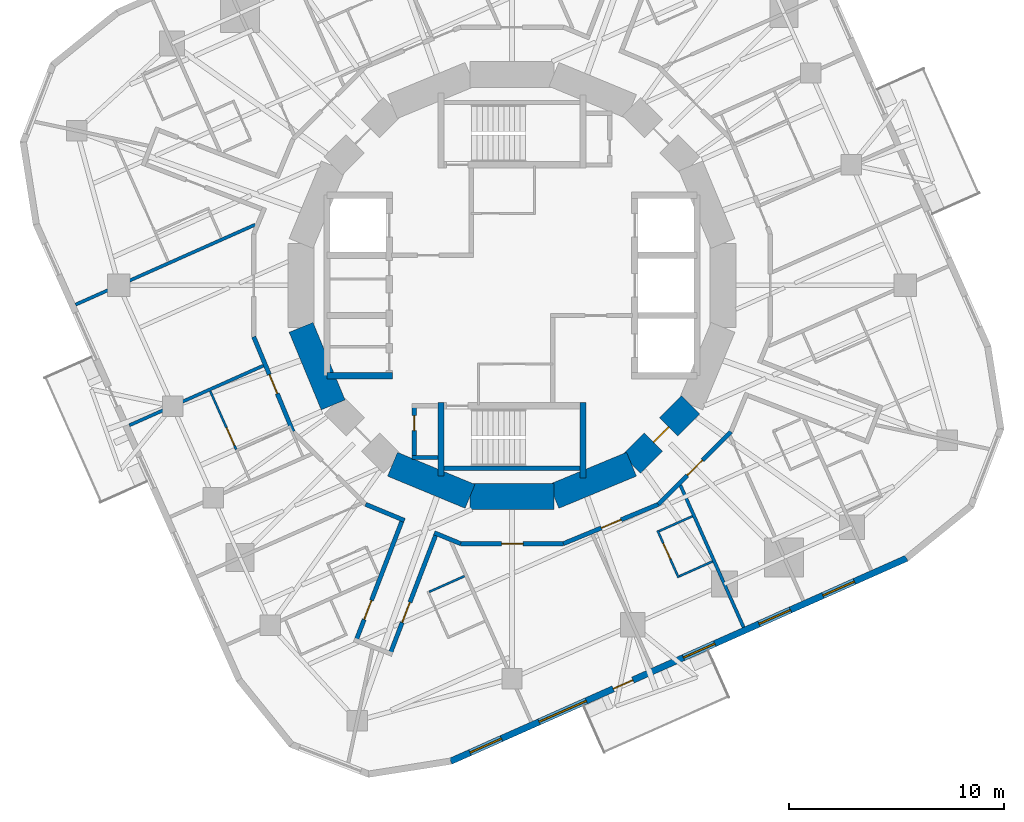
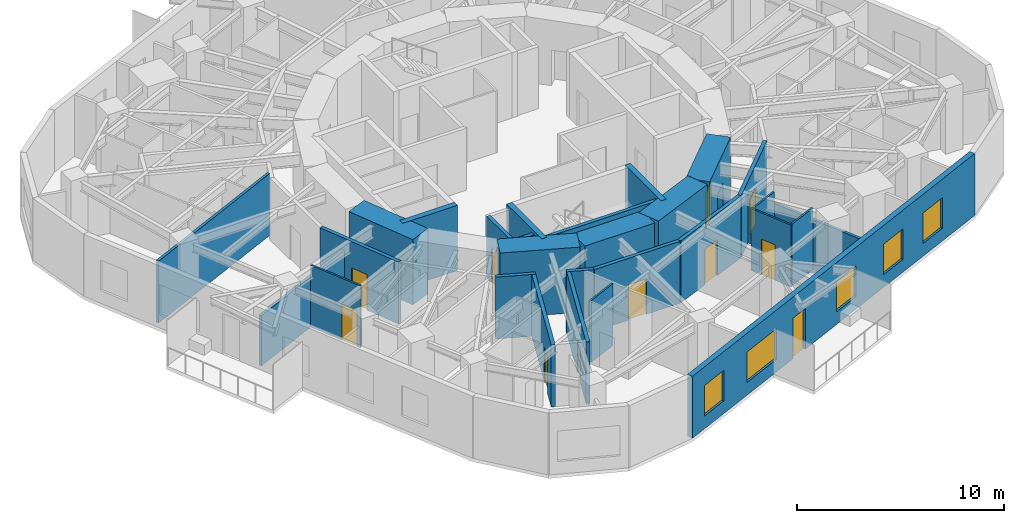
# One storey, part 5 of 12: 28 walls, 11 doors, 5 windows, 16 openings.
"""IFC4 building model written with IfcOpenShell, lengths in metres."""

from ifc_helpers import new_model, si_unit, direction, frame, frame_2d, origin, place, context, subcontext, project, spatial, rectangle, extrude, material, layer, layer_set, type_object, element, fill, save


model = new_model("IFC4")

# Units and contexts
model_context = context("Model", 3, precision=1e-05, world=origin(), true_north=direction((0.0, 1.0)))
body_context = subcontext(model_context, "Body", "Model", "MODEL_VIEW")
ifc_project = project(units=[si_unit("LENGTHUNIT", "METRE"), si_unit("AREAUNIT", "SQUARE_METRE"), si_unit("VOLUMEUNIT", "CUBIC_METRE"), si_unit("PLANEANGLEUNIT", "RADIAN"), si_unit("MASSUNIT", "GRAM", prefix="KILO")], contexts=[model_context])

# Site, building, storey
site_placement = place(None, origin())
site = spatial("IfcSite", under=ifc_project, at=site_placement, CompositionType="ELEMENT")
building_placement = place(site_placement, origin())
building = spatial("IfcBuilding", under=site, at=building_placement, Name="Nakasero Lantern House", CompositionType="ELEMENT")
storey_placement = place(building_placement, frame((0.0, 0.0, 186.300048828125)))
storey = spatial("IfcBuildingStorey", under=building, at=storey_placement, Name="L45", CompositionType="ELEMENT", Elevation=186.300048828125)

# Walls
ifc_material_1 = material(Name="Concrete C50/60", Category="concrete")
ifc_layer_1 = layer(ifc_material_1, 0.300048828125)
ifc_layer_set_1 = layer_set([ifc_layer_1], Name="Core inner wall 300")
wall_type_1 = type_object("IfcWallType", Name="Core inner wall 300", PredefinedType="SHEAR", material=ifc_layer_set_1)
wall_1_placement = place(storey_placement, frame((-8.60009765625, -4.199951171875, 0.0), z_axis=(0.0, 0.0, 1.0), x_axis=(1.0, 0.0, 0.0)))
element("IfcWall", 1, at=wall_1_placement, inside=storey, type_object=wall_type_1, Name="Core inner wall L45 LWS", PredefinedType="SHEAR", context=body_context, shape_type="SweptSolid", body=[
    extrude(rectangle(XDim=3.050048828125, YDim=0.300048828125, at=frame_2d((1.52490234375, 0.0))), origin(), (0.0, 0.0, 1.0), 3.849853515625),
])
wall_2_placement = place(storey_placement, frame((-3.300048828125, -5.449951171875, 0.0), z_axis=(0.0, 0.0, 1.0), x_axis=(0.0, -1.0, 0.0)))
element("IfcWall", 2, at=wall_2_placement, inside=storey, type_object=wall_type_1, Name="Core inner wall L45 SSW", PredefinedType="SHEAR", context=body_context, shape_type="SweptSolid", body=[
    extrude(rectangle(XDim=3.400146484375, YDim=0.300048828125, at=frame_2d((1.7001953125, 0.0))), origin(), (0.0, 0.0, 1.0), 3.849853515625),
])
wall_3_placement = place(storey_placement, frame((3.300048828125, -5.449951171875, 0.0), z_axis=(0.0, 0.0, 1.0), x_axis=(0.0, -1.0, 0.0)))
element("IfcWall", 3, at=wall_3_placement, inside=storey, type_object=wall_type_1, Name="Core inner wall L45 SSE", PredefinedType="SHEAR", context=body_context, shape_type="SweptSolid", body=[
    extrude(rectangle(XDim=3.5, YDim=0.300048828125, at=frame_2d((1.75, 0.0))), origin(), (0.0, 0.0, 1.0), 3.849853515625),
])
ifc_material_2 = material(Name="Concrete C50/60", Category="concrete")
ifc_layer_2 = layer(ifc_material_2, 1.199951171875)
ifc_layer_set_2 = layer_set([ifc_layer_2], Name="Core wall 1200")
wall_type_2 = type_object("IfcWallType", Name="Core wall 1200", PredefinedType="SHEAR", material=ifc_layer_set_2)
for number, where, z_axis, x_axis, name in (
    (4, (-9.807861328125, -1.950927734375, 0.0), (0.0, 0.0, 1.0), (0.382690736062, -0.923876507187, 0.0), "Core wall L45 facet 9"),
    (5, (-5.5556640625, -8.314697265625, 0.0), (0.0, 0.0, 1.0), (0.923876507187, -0.382690736062, 0.0), "Core wall L45 facet 11"),
    (6, (-1.950927734375, -9.807861328125, 0.0), (0.0, 0.0, 1.0), (1.0, 0.0, 0.0), "Core wall L45 facet 12"),
    (7, (1.950927734375, -9.807861328125, 0.0), (0.0, 0.0, 1.0), (0.923876507187, 0.382690736062, 0.0), "Core wall L45 facet 13"),
):
    element("IfcWall", number, at=place(storey_placement, frame(where, z_axis=z_axis, x_axis=x_axis)), inside=storey, type_object=wall_type_2, Name=name, PredefinedType="SHEAR", context=body_context, shape_type="SweptSolid", body=[
        extrude(rectangle(XDim=3.90185546875, YDim=1.199951171875, at=frame_2d((1.950927734375, 0.0))), origin(), (0.0, 0.0, 1.0), 3.849853515625),
    ])

# Wall, opening, door
wall_4_placement = place(storey_placement, frame((5.5556640625, -8.314697265625, 0.0), z_axis=(0.0, 0.0, 1.0), x_axis=(0.707106781187, 0.707106781187, 0.0)))
wall_4 = element("IfcWall", 8, at=wall_4_placement, inside=storey, type_object=wall_type_2, Name="Core wall L45 facet 14", PredefinedType="SHEAR", context=body_context, shape_type="SweptSolid", body=[
    extrude(rectangle(XDim=3.90185546875, YDim=1.199951171875, at=frame_2d((1.950927734375, 0.0))), origin(), (0.0, 0.0, 1.0), 3.849853515625),
])
opening_1_placement = place(wall_4_placement, frame((1.450927734375, 0.0, 0.0)))
opening_1 = element("IfcOpeningElement", 9, at=opening_1_placement, cuts=wall_4, Name="Opening D05", PredefinedType="OPENING", context=body_context, shape_type="SweptSolid", body=[
    extrude(rectangle(XDim=1.0, YDim=2.10009765625, at=frame_2d((0.5, 1.050048828125))), frame((0.0, 0.619873046875, 0.0), z_axis=(0.0, -1.0, 0.0), x_axis=(1.0, 0.0, 0.0)), (0.0, 0.0, 1.0), 1.239990234375),
])
ifc_material_3 = material(Name="Timber C24", Category="wood")
door_type_1 = type_object("IfcDoorType", Name="Core door FD60S 1000", OperationType="SINGLE_SWING_LEFT", PredefinedType="DOOR", material=ifc_material_3)
door_1_placement = place(opening_1_placement, origin())
door_1 = element("IfcDoor", 10, at=door_1_placement, inside=storey, type_object=door_type_1, Name="Door L45 D-CORE14", OperationType="SINGLE_SWING_LEFT", OverallHeight=2.10009765625, OverallWidth=1.0, PredefinedType="DOOR", context=body_context, shape_type="SweptSolid", body=[
    extrude(rectangle(XDim=1.0, YDim=2.10009765625, at=frame_2d((0.5, 1.050048828125))), frame((0.0, 0.02490234375, 0.0), z_axis=(0.0, -1.0, 0.0), x_axis=(1.0, 0.0, 0.0)), (0.0, 0.0, 1.0), 0.050048828125),
])
fill(opening_1, door_1)

ifc_material_4 = material(Name="Blockwork", Category="masonry")
ifc_layer_3 = layer(ifc_material_4, 0.199951171875)
ifc_layer_set_3 = layer_set([ifc_layer_3], Name="Corridor wall 200")
wall_type_3 = type_object("IfcWallType", Name="Corridor wall 200", PredefinedType="PARTITIONING", material=ifc_layer_set_3)
wall_5_placement = place(storey_placement, frame((10.1796875, -6.802001953125, 0.0), z_axis=(0.0, 0.0, 1.0), x_axis=(-0.707106781187, -0.707106781187, 0.0)))
wall_5 = element("IfcWall", 11, at=wall_5_placement, inside=storey, type_object=wall_type_3, Name="Corridor wall L45 RC02a", PredefinedType="PARTITIONING", context=body_context, shape_type="SweptSolid", body=[
    extrude(rectangle(XDim=4.77685546875, YDim=0.199951171875, at=frame_2d((2.388427734375, 0.0))), origin(), (0.0, 0.0, 1.0), 3.64990234375),
])
opening_2_placement = place(wall_5_placement, frame((1.8701171875, 0.0, 0.0)))
opening_2 = element("IfcOpeningElement", 12, at=opening_2_placement, cuts=wall_5, Name="Opening D14", PredefinedType="OPENING", context=body_context, shape_type="SweptSolid", body=[
    extrude(rectangle(XDim=1.0, YDim=2.10009765625, at=frame_2d((0.5, 1.050048828125))), frame((0.0, 0.119873046875, 0.0), z_axis=(0.0, -1.0, 0.0), x_axis=(1.0, 0.0, 0.0)), (0.0, 0.0, 1.0), 0.239990234375),
])
ifc_material_5 = material(Name="Timber C24", Category="wood")
door_type_2 = type_object("IfcDoorType", Name="Cluster entrance door FD30S 1000", OperationType="SINGLE_SWING_LEFT", PredefinedType="DOOR", material=ifc_material_5)
door_2_placement = place(opening_2_placement, origin())
door_2 = element("IfcDoor", 13, at=door_2_placement, inside=storey, type_object=door_type_2, Name="Door L45 D3-04", OperationType="SINGLE_SWING_LEFT", OverallHeight=2.10009765625, OverallWidth=1.0, PredefinedType="DOOR", context=body_context, shape_type="SweptSolid", body=[
    extrude(rectangle(XDim=1.0, YDim=2.10009765625, at=frame_2d((0.5, 1.050048828125))), frame((0.0, 0.02490234375, 0.0), z_axis=(0.0, -1.0, 0.0), x_axis=(1.0, 0.0, 0.0)), (0.0, 0.0, 1.0), 0.050048828125),
])
fill(opening_2, door_2)

wall_6_placement = place(storey_placement, frame((6.802001953125, -10.1796875, 0.0), z_axis=(0.0, 0.0, 1.0), x_axis=(-0.923882292998, -0.382676767893, 0.0)))
wall_6 = element("IfcWall", 14, at=wall_6_placement, inside=storey, type_object=wall_type_3, Name="Corridor wall L45 RC03a", PredefinedType="PARTITIONING", context=body_context, shape_type="SweptSolid", body=[
    extrude(rectangle(XDim=4.777099609375, YDim=0.199951171875, at=frame_2d((2.388671875, 0.0))), origin(), (0.0, 0.0, 1.0), 3.64990234375),
])
opening_3_placement = place(wall_6_placement, frame((1.8701171875, 0.0, 0.0)))
opening_3 = element("IfcOpeningElement", 15, at=opening_3_placement, cuts=wall_6, Name="Opening D07", PredefinedType="OPENING", context=body_context, shape_type="SweptSolid", body=[
    extrude(rectangle(XDim=1.0, YDim=2.10009765625, at=frame_2d((0.5, 1.050048828125))), frame((0.0, 0.119873046875, 0.0), z_axis=(0.0, -1.0, 0.0), x_axis=(1.0, 0.0, 0.0)), (0.0, 0.0, 1.0), 0.239990234375),
])
ifc_material_6 = material(Name="Timber C24", Category="wood")
door_type_3 = type_object("IfcDoorType", Name="Room door FD30S 1000", OperationType="SINGLE_SWING_LEFT", PredefinedType="DOOR", material=ifc_material_6)
door_3_placement = place(opening_3_placement, origin())
door_3 = element("IfcDoor", 16, at=door_3_placement, inside=storey, type_object=door_type_3, Name="Door L45 D3-03", OperationType="SINGLE_SWING_LEFT", OverallHeight=2.10009765625, OverallWidth=1.0, PredefinedType="DOOR", context=body_context, shape_type="SweptSolid", body=[
    extrude(rectangle(XDim=1.0, YDim=2.10009765625, at=frame_2d((0.5, 1.050048828125))), frame((0.0, 0.02490234375, 0.0), z_axis=(0.0, -1.0, 0.0), x_axis=(1.0, 0.0, 0.0)), (0.0, 0.0, 1.0), 0.050048828125),
])
fill(opening_3, door_3)

wall_7_placement = place(storey_placement, frame((2.388427734375, -12.0078125, 0.0), z_axis=(0.0, 0.0, 1.0), x_axis=(-1.0, 0.0, 0.0)))
wall_7 = element("IfcWall", 17, at=wall_7_placement, inside=storey, type_object=wall_type_3, Name="Corridor wall L45 RC04a", PredefinedType="PARTITIONING", context=body_context, shape_type="SweptSolid", body=[
    extrude(rectangle(XDim=4.77685546875, YDim=0.199951171875, at=frame_2d((2.388427734375, 0.0))), origin(), (0.0, 0.0, 1.0), 3.64990234375),
])
opening_4_placement = place(wall_7_placement, frame((1.8701171875, 0.0, 0.0)))
opening_4 = element("IfcOpeningElement", 18, at=opening_4_placement, cuts=wall_7, Name="Opening D03", PredefinedType="OPENING", context=body_context, shape_type="SweptSolid", body=[
    extrude(rectangle(XDim=1.0, YDim=2.10009765625, at=frame_2d((0.5, 1.050048828125))), frame((0.0, 0.119873046875, 0.0), z_axis=(0.0, -1.0, 0.0), x_axis=(1.0, 0.0, 0.0)), (0.0, 0.0, 1.0), 0.239990234375),
])
ifc_material_7 = material(Name="Timber C24", Category="wood")
door_type_4 = type_object("IfcDoorType", Name="Lounge door FD30S 1000", OperationType="SINGLE_SWING_LEFT", PredefinedType="DOOR", material=ifc_material_7)
door_4_placement = place(opening_4_placement, origin())
door_4 = element("IfcDoor", 19, at=door_4_placement, inside=storey, type_object=door_type_4, Name="Door L45 DK3", OperationType="SINGLE_SWING_LEFT", OverallHeight=2.10009765625, OverallWidth=1.0, PredefinedType="DOOR", context=body_context, shape_type="SweptSolid", body=[
    extrude(rectangle(XDim=1.0, YDim=2.10009765625, at=frame_2d((0.5, 1.050048828125))), frame((0.0, 0.02490234375, 0.0), z_axis=(0.0, -1.0, 0.0), x_axis=(1.0, 0.0, 0.0)), (0.0, 0.0, 1.0), 0.050048828125),
])
fill(opening_4, door_4)

# Walls
wall_8_placement = place(storey_placement, frame((-2.388427734375, -12.0078125, 0.0), z_axis=(0.0, 0.0, 1.0), x_axis=(-0.923893220228, 0.382650385623, 0.0)))
element("IfcWall", 20, at=wall_8_placement, inside=storey, type_object=wall_type_3, Name="Corridor wall L45 RC05a", PredefinedType="PARTITIONING", context=body_context, shape_type="SweptSolid", body=[
    extrude(rectangle(XDim=1.323974609375, YDim=0.199951171875, at=frame_2d((0.662109375, 0.0))), origin(), (0.0, 0.0, 1.0), 3.64990234375),
])
wall_9_placement = place(storey_placement, frame((-4.997802734375, -10.927001953125, 0.0), z_axis=(0.0, 0.0, 1.0), x_axis=(-0.923881222106, 0.382679353297, 0.0)))
element("IfcWall", 21, at=wall_9_placement, inside=storey, type_object=wall_type_3, Name="Corridor wall L45 RC05b", PredefinedType="PARTITIONING", context=body_context, shape_type="SweptSolid", body=[
    extrude(rectangle(XDim=1.952880859375, YDim=0.199951171875, at=frame_2d((0.9765625, 0.0))), origin(), (0.0, 0.0, 1.0), 3.64990234375),
])

# Wall, opening, door
wall_10_placement = place(storey_placement, frame((-10.1796875, -6.802001953125, 0.0), z_axis=(0.0, 0.0, 1.0), x_axis=(-0.382676767893, 0.923882292998, 0.0)))
wall_10 = element("IfcWall", 22, at=wall_10_placement, inside=storey, type_object=wall_type_3, Name="Corridor wall L45 RC07a", PredefinedType="PARTITIONING", context=body_context, shape_type="SweptSolid", body=[
    extrude(rectangle(XDim=4.777099609375, YDim=0.199951171875, at=frame_2d((2.388671875, 0.0))), origin(), (0.0, 0.0, 1.0), 3.64990234375),
])
opening_5_placement = place(wall_10_placement, frame((1.919921875, 0.0, 0.0)))
opening_5 = element("IfcOpeningElement", 23, at=opening_5_placement, cuts=wall_10, Name="Opening D01", PredefinedType="OPENING", context=body_context, shape_type="SweptSolid", body=[
    extrude(rectangle(XDim=0.949951171875, YDim=2.10009765625, at=frame_2d((0.47509765625, 1.050048828125))), frame((0.0, 0.119873046875, 0.0), z_axis=(0.0, -1.0, 0.0), x_axis=(1.0, 0.0, 0.0)), (0.0, 0.0, 1.0), 0.239990234375),
])
ifc_material_8 = material(Name="Timber C24", Category="wood")
door_type_5 = type_object("IfcDoorType", Name="Bedroom door FD30S 950", OperationType="SINGLE_SWING_LEFT", PredefinedType="DOOR", material=ifc_material_8)
door_5_placement = place(opening_5_placement, origin())
door_5 = element("IfcDoor", 24, at=door_5_placement, inside=storey, type_object=door_type_5, Name="Door L45 D2-03", OperationType="SINGLE_SWING_RIGHT", OverallHeight=2.10009765625, OverallWidth=0.949951171875, PredefinedType="DOOR", context=body_context, shape_type="SweptSolid", body=[
    extrude(rectangle(XDim=0.949951171875, YDim=2.10009765625, at=frame_2d((0.47509765625, 1.050048828125))), frame((0.0, 0.02490234375, 0.0), z_axis=(0.0, -1.0, 0.0), x_axis=(1.0, 0.0, 0.0)), (0.0, 0.0, 1.0), 0.050048828125),
])
fill(opening_5, door_5)

wall_11_placement = place(storey_placement, frame((-5.09033203125, -10.888671875, 0.0), z_axis=(0.0, 0.0, 1.0), x_axis=(-0.35835059057, -0.933587089798, 0.0)))
wall_11 = element("IfcWall", 25, at=wall_11_placement, inside=storey, type_object=wall_type_3, Name="Corridor wall L45 SP2a", PredefinedType="PARTITIONING", context=body_context, shape_type="SweptSolid", body=[
    extrude(rectangle(XDim=6.117919921875, YDim=0.199951171875, at=frame_2d((3.05908203125, 0.0))), origin(), (0.0, 0.0, 1.0), 3.64990234375),
])
opening_6_placement = place(wall_11_placement, frame((4.02001953125, 0.0, 0.0)))
opening_6 = element("IfcOpeningElement", 26, at=opening_6_placement, cuts=wall_11, Name="Opening D01", PredefinedType="OPENING", context=body_context, shape_type="SweptSolid", body=[
    extrude(rectangle(XDim=0.949951171875, YDim=2.10009765625, at=frame_2d((0.47509765625, 1.050048828125))), frame((0.0, 0.119873046875, 0.0), z_axis=(0.0, -1.0, 0.0), x_axis=(1.0, 0.0, 0.0)), (0.0, 0.0, 1.0), 0.239990234375),
])
door_6_placement = place(opening_6_placement, origin())
door_6 = element("IfcDoor", 27, at=door_6_placement, inside=storey, type_object=door_type_5, Name="Door L45 D2-06", OperationType="SINGLE_SWING_RIGHT", OverallHeight=2.10009765625, OverallWidth=0.949951171875, PredefinedType="DOOR", context=body_context, shape_type="SweptSolid", body=[
    extrude(rectangle(XDim=0.949951171875, YDim=2.10009765625, at=frame_2d((0.47509765625, 1.050048828125))), frame((0.0, 0.02490234375, 0.0), z_axis=(0.0, -1.0, 0.0), x_axis=(1.0, 0.0, 0.0)), (0.0, 0.0, 1.0), 0.050048828125),
])
fill(opening_6, door_6)

wall_12_placement = place(storey_placement, frame((-3.51904296875, -11.53955078125, 0.0), z_axis=(0.0, 0.0, 1.0), x_axis=(-0.358394497993, -0.93357023507, 0.0)))
wall_12 = element("IfcWall", 28, at=wall_12_placement, inside=storey, type_object=wall_type_3, Name="Corridor wall L45 SP2b", PredefinedType="PARTITIONING", context=body_context, shape_type="SweptSolid", body=[
    extrude(rectangle(XDim=6.07373046875, YDim=0.199951171875, at=frame_2d((3.036865234375, 0.0))), origin(), (0.0, 0.0, 1.0), 3.64990234375),
])
opening_7_placement = place(wall_12_placement, frame((3.419921875, 0.0, 0.0)))
opening_7 = element("IfcOpeningElement", 29, at=opening_7_placement, cuts=wall_12, Name="Opening D07", PredefinedType="OPENING", context=body_context, shape_type="SweptSolid", body=[
    extrude(rectangle(XDim=1.0, YDim=2.10009765625, at=frame_2d((0.5, 1.050048828125))), frame((0.0, 0.119873046875, 0.0), z_axis=(0.0, -1.0, 0.0), x_axis=(1.0, 0.0, 0.0)), (0.0, 0.0, 1.0), 0.239990234375),
])
door_7_placement = place(opening_7_placement, origin())
door_7 = element("IfcDoor", 30, at=door_7_placement, inside=storey, type_object=door_type_3, Name="Door L45 D3-00", OperationType="SINGLE_SWING_RIGHT", OverallHeight=2.10009765625, OverallWidth=1.0, PredefinedType="DOOR", context=body_context, shape_type="SweptSolid", body=[
    extrude(rectangle(XDim=1.0, YDim=2.10009765625, at=frame_2d((0.5, 1.050048828125))), frame((0.0, 0.02490234375, 0.0), z_axis=(0.0, -1.0, 0.0), x_axis=(1.0, 0.0, 0.0)), (0.0, 0.0, 1.0), 0.050048828125),
])
fill(opening_7, door_7)

# Wall
ifc_material_9 = material(Name="Blockwork", Category="masonry")
ifc_layer_4 = layer(ifc_material_9, 0.10009765625)
ifc_layer_set_4 = layer_set([ifc_layer_4], Name="En-suite wall 100")
wall_type_4 = type_object("IfcWallType", Name="En-suite wall 100", PredefinedType="PARTITIONING", material=ifc_layer_set_4)
wall_13_placement = place(storey_placement, frame((-3.84814453125, -14.246826171875, 0.0), z_axis=(0.0, 0.0, 1.0), x_axis=(0.913576462288, 0.406666998358, 0.0)))
element("IfcWall", 31, at=wall_13_placement, inside=storey, type_object=wall_type_4, Name="En-suite wall L45 EI3-00", PredefinedType="PARTITIONING", context=body_context, shape_type="SweptSolid", body=[
    extrude(rectangle(XDim=1.7998046875, YDim=0.10009765625, at=frame_2d((0.89990234375, 0.0))), origin(), (0.0, 0.0, 1.0), 3.64990234375),
])

# Wall, opening, door
wall_14_placement = place(storey_placement, frame((6.76904296875, -11.39892578125, 0.0), z_axis=(0.0, 0.0, 1.0), x_axis=(0.40677069889, -0.913530294257, 0.0)))
wall_14 = element("IfcWall", 32, at=wall_14_placement, inside=storey, type_object=wall_type_4, Name="En-suite wall L45 ES3-03", PredefinedType="PARTITIONING", context=body_context, shape_type="SweptSolid", body=[
    extrude(rectangle(XDim=2.400146484375, YDim=0.10009765625, at=frame_2d((1.2001953125, 0.0))), origin(), (0.0, 0.0, 1.0), 3.64990234375),
])
opening_8_placement = place(wall_14_placement, frame((0.64990234375, 0.0, 0.0)))
opening_8 = element("IfcOpeningElement", 33, at=opening_8_placement, cuts=wall_14, Name="Opening D15", PredefinedType="OPENING", context=body_context, shape_type="SweptSolid", body=[
    extrude(rectangle(XDim=0.800048828125, YDim=2.10009765625, at=frame_2d((0.39990234375, 1.050048828125))), frame((0.0, 0.070068359375, 0.0), z_axis=(0.0, -1.0, 0.0), x_axis=(1.0, 0.0, 0.0)), (0.0, 0.0, 1.0), 0.14013671875),
])
ifc_material_10 = material(Name="Timber C24", Category="wood")
door_type_6 = type_object("IfcDoorType", Name="Cleaner's store door FD30S 800", OperationType="SINGLE_SWING_LEFT", PredefinedType="DOOR", material=ifc_material_10)
door_8_placement = place(opening_8_placement, origin())
door_8 = element("IfcDoor", 34, at=door_8_placement, inside=storey, type_object=door_type_6, Name="Door L45 DE3-03", OperationType="SINGLE_SWING_LEFT", OverallHeight=2.10009765625, OverallWidth=0.800048828125, PredefinedType="DOOR", context=body_context, shape_type="SweptSolid", body=[
    extrude(rectangle(XDim=0.800048828125, YDim=2.10009765625, at=frame_2d((0.39990234375, 1.050048828125))), frame((0.0, 0.02490234375, 0.0), z_axis=(0.0, -1.0, 0.0), x_axis=(1.0, 0.0, 0.0)), (0.0, 0.0, 1.0), 0.050048828125),
])
fill(opening_8, door_8)

# Walls
wall_15_placement = place(storey_placement, frame((7.7705078125, -13.525390625, 0.0), z_axis=(0.0, 0.0, 1.0), x_axis=(0.91357452948, 0.406671340378, 0.0)))
element("IfcWall", 35, at=wall_15_placement, inside=storey, type_object=wall_type_4, Name="En-suite wall L45 EE3-03", PredefinedType="PARTITIONING", context=body_context, shape_type="SweptSolid", body=[
    extrude(rectangle(XDim=1.7001953125, YDim=0.10009765625, at=frame_2d((0.85009765625, 0.0))), origin(), (0.0, 0.0, 1.0), 3.64990234375),
])
wall_16_placement = place(storey_placement, frame((6.835205078125, -11.42431640625, 0.0), z_axis=(0.0, 0.0, 1.0), x_axis=(0.913550776237, 0.406724697108, 0.0)))
element("IfcWall", 36, at=wall_16_placement, inside=storey, type_object=wall_type_4, Name="En-suite wall L45 EI3-03", PredefinedType="PARTITIONING", context=body_context, shape_type="SweptSolid", body=[
    extrude(rectangle(XDim=1.699951171875, YDim=0.10009765625, at=frame_2d((0.85009765625, 0.0))), origin(), (0.0, 0.0, 1.0), 3.64990234375),
])

# Wall, opening, door
wall_17_placement = place(storey_placement, frame((-14.03125, -4.913818359375, 0.0), z_axis=(0.0, 0.0, 1.0), x_axis=(0.406787659366, -0.91352274202, 0.0)))
wall_17 = element("IfcWall", 37, at=wall_17_placement, inside=storey, type_object=wall_type_4, Name="En-suite wall L45 EL2-03", PredefinedType="PARTITIONING", context=body_context, shape_type="SweptSolid", body=[
    extrude(rectangle(XDim=2.96533203125, YDim=0.10009765625, at=frame_2d((1.482666015625, 0.0))), origin(), (0.0, 0.0, 1.0), 3.64990234375),
])
opening_9_placement = place(wall_17_placement, frame((1.865478515625, 0.0, 0.0)))
opening_9 = element("IfcOpeningElement", 38, at=opening_9_placement, cuts=wall_17, Name="Opening D17", PredefinedType="OPENING", context=body_context, shape_type="SweptSolid", body=[
    extrude(rectangle(XDim=0.89990234375, YDim=2.10009765625, at=frame_2d((0.449951171875, 1.050048828125))), frame((0.0, 0.070068359375, 0.0), z_axis=(0.0, -1.0, 0.0), x_axis=(1.0, 0.0, 0.0)), (0.0, 0.0, 1.0), 0.14013671875),
])
ifc_material_11 = material(Name="Timber C24", Category="wood")
door_type_7 = type_object("IfcDoorType", Name="Bedroom door FD30S 900", OperationType="SINGLE_SWING_LEFT", PredefinedType="DOOR", material=ifc_material_11)
door_9_placement = place(opening_9_placement, origin())
door_9 = element("IfcDoor", 39, at=door_9_placement, inside=storey, type_object=door_type_7, Name="Door L45 DL2-03", OperationType="SINGLE_SWING_RIGHT", OverallHeight=2.10009765625, OverallWidth=0.89990234375, PredefinedType="DOOR", context=body_context, shape_type="SweptSolid", body=[
    extrude(rectangle(XDim=0.89990234375, YDim=2.10009765625, at=frame_2d((0.449951171875, 1.050048828125))), frame((0.0, 0.02490234375, 0.0), z_axis=(0.0, -1.0, 0.0), x_axis=(1.0, 0.0, 0.0)), (0.0, 0.0, 1.0), 0.050048828125),
])
fill(opening_9, door_9)

# Wall, openings, door, windows
ifc_material_12 = material(Name="Aluminium rainscreen on blockwork", Category="masonry")
ifc_layer_5 = layer(ifc_material_12, 0.300048828125)
ifc_layer_set_5 = layer_set([ifc_layer_5], Name="Facade wall 300")
wall_type_5 = type_object("IfcWallType", Name="Facade wall 300", PredefinedType="SOLIDWALL", material=ifc_layer_set_5)
wall_18_placement = place(storey_placement, frame((-2.848876953125, -22.12109375, 0.0), z_axis=(0.0, 0.0, 1.0), x_axis=(0.913546210851, 0.406734951338, 0.0)))
wall_18 = element("IfcWall", 40, at=wall_18_placement, inside=storey, type_object=wall_type_5, Name="Facade wall L45 FW3S", PredefinedType="SOLIDWALL", context=body_context, shape_type="SweptSolid", body=[
    extrude(rectangle(XDim=23.199951171875, YDim=0.300048828125, at=frame_2d((11.60009765625, 0.0))), origin(), (0.0, 0.0, 1.0), 3.64990234375),
])
opening_10_placement = place(wall_18_placement, frame((0.982421875, 0.0, 0.75)))
opening_10 = element("IfcOpeningElement", 41, at=opening_10_placement, cuts=wall_18, Name="Opening W01", PredefinedType="OPENING", context=body_context, shape_type="SweptSolid", body=[
    extrude(rectangle(XDim=1.60009765625, YDim=1.800048828125, at=frame_2d((0.800048828125, 0.89990234375))), frame((0.0, 0.169921875, 0.0), z_axis=(0.0, -1.0, 0.0), x_axis=(1.0, 0.0, 0.0)), (0.0, 0.0, 1.0), 0.340087890625),
])
opening_11_placement = place(wall_18_placement, frame((11.83984375, 0.0, 0.75)))
opening_11 = element("IfcOpeningElement", 42, at=opening_11_placement, cuts=wall_18, Name="Opening W01", PredefinedType="OPENING", context=body_context, shape_type="SweptSolid", body=[
    extrude(rectangle(XDim=1.60009765625, YDim=1.800048828125, at=frame_2d((0.800048828125, 0.89990234375))), frame((0.0, 0.169921875, 0.0), z_axis=(0.0, -1.0, 0.0), x_axis=(1.0, 0.0, 0.0)), (0.0, 0.0, 1.0), 0.340087890625),
])
opening_12_placement = place(wall_18_placement, frame((15.69140625, 0.0, 0.75)))
opening_12 = element("IfcOpeningElement", 43, at=opening_12_placement, cuts=wall_18, Name="Opening W01", PredefinedType="OPENING", context=body_context, shape_type="SweptSolid", body=[
    extrude(rectangle(XDim=1.60009765625, YDim=1.800048828125, at=frame_2d((0.800048828125, 0.89990234375))), frame((0.0, 0.169921875, 0.0), z_axis=(0.0, -1.0, 0.0), x_axis=(1.0, 0.0, 0.0)), (0.0, 0.0, 1.0), 0.340087890625),
])
opening_13_placement = place(wall_18_placement, frame((18.940185546875, 0.0, 0.75)))
opening_13 = element("IfcOpeningElement", 44, at=opening_13_placement, cuts=wall_18, Name="Opening W01", PredefinedType="OPENING", context=body_context, shape_type="SweptSolid", body=[
    extrude(rectangle(XDim=1.60009765625, YDim=1.800048828125, at=frame_2d((0.800048828125, 0.89990234375))), frame((0.0, 0.169921875, 0.0), z_axis=(0.0, -1.0, 0.0), x_axis=(1.0, 0.0, 0.0)), (0.0, 0.0, 1.0), 0.340087890625),
])
opening_14_placement = place(wall_18_placement, frame((4.500244140625, 0.0, 0.75)))
opening_14 = element("IfcOpeningElement", 45, at=opening_14_placement, cuts=wall_18, Name="Opening W03", PredefinedType="OPENING", context=body_context, shape_type="SweptSolid", body=[
    extrude(rectangle(XDim=2.39990234375, YDim=1.800048828125, at=frame_2d((1.199951171875, 0.89990234375))), frame((0.0, 0.169921875, 0.0), z_axis=(0.0, -1.0, 0.0), x_axis=(1.0, 0.0, 0.0)), (0.0, 0.0, 1.0), 0.340087890625),
])
opening_15_placement = place(wall_18_placement, frame((8.271484375, 0.0, 0.0)))
opening_15 = element("IfcOpeningElement", 46, at=opening_15_placement, cuts=wall_18, Name="Opening D04", PredefinedType="OPENING", context=body_context, shape_type="SweptSolid", body=[
    extrude(rectangle(XDim=1.0, YDim=2.39990234375, at=frame_2d((0.5, 1.199951171875))), frame((0.0, 0.169921875, 0.0), z_axis=(0.0, -1.0, 0.0), x_axis=(1.0, 0.0, 0.0)), (0.0, 0.0, 1.0), 0.340087890625),
])
ifc_material_13 = material(Name="Aluminium 6063-T6 and glass", Category="aluminium")
door_type_8 = type_object("IfcDoorType", Name="Balcony door 1000x2400", OperationType="SINGLE_SWING_RIGHT", PredefinedType="DOOR", material=ifc_material_13)
door_10_placement = place(opening_15_placement, origin())
door_10 = element("IfcDoor", 47, at=door_10_placement, inside=storey, type_object=door_type_8, Name="Balcony door L45 DB3", OperationType="SINGLE_SWING_RIGHT", OverallHeight=2.39990234375, OverallWidth=1.0, PredefinedType="DOOR", context=body_context, shape_type="SweptSolid", body=[
    extrude(rectangle(XDim=1.0, YDim=2.39990234375, at=frame_2d((0.5, 1.199951171875))), frame((0.0, 0.02490234375, 0.0), z_axis=(0.0, -1.0, 0.0), x_axis=(1.0, 0.0, 0.0)), (0.0, 0.0, 1.0), 0.050048828125),
])
fill(opening_15, door_10)
ifc_material_14 = material(Name="Aluminium 6063-T6 and glass", Category="aluminium")
window_type_1 = type_object("IfcWindowType", Name="Bedroom window 1600x1800", PartitioningType="SINGLE_PANEL", PredefinedType="WINDOW", material=ifc_material_14)
window_1_placement = place(opening_10_placement, origin())
window_1 = element("IfcWindow", 48, at=window_1_placement, inside=storey, type_object=window_type_1, Name="Window L45 WN3-00", OverallHeight=1.800048828125, OverallWidth=1.60009765625, PartitioningType="SINGLE_PANEL", PredefinedType="WINDOW", context=body_context, shape_type="SweptSolid", body=[
    extrude(rectangle(XDim=1.60009765625, YDim=1.800048828125, at=frame_2d((0.800048828125, 0.89990234375))), frame((0.0, 0.030029296875, 0.0), z_axis=(0.0, -1.0, 0.0), x_axis=(1.0, 0.0, 0.0)), (0.0, 0.0, 1.0), 0.06005859375),
])
fill(opening_10, window_1)
window_2_placement = place(opening_11_placement, origin())
window_2 = element("IfcWindow", 49, at=window_2_placement, inside=storey, type_object=window_type_1, Name="Window L45 WN3-03", OverallHeight=1.800048828125, OverallWidth=1.60009765625, PartitioningType="SINGLE_PANEL", PredefinedType="WINDOW", context=body_context, shape_type="SweptSolid", body=[
    extrude(rectangle(XDim=1.60009765625, YDim=1.800048828125, at=frame_2d((0.800048828125, 0.89990234375))), frame((0.0, 0.030029296875, 0.0), z_axis=(0.0, -1.0, 0.0), x_axis=(1.0, 0.0, 0.0)), (0.0, 0.0, 1.0), 0.06005859375),
])
fill(opening_11, window_2)
window_3_placement = place(opening_12_placement, origin())
window_3 = element("IfcWindow", 50, at=window_3_placement, inside=storey, type_object=window_type_1, Name="Window L45 WN3-04", OverallHeight=1.800048828125, OverallWidth=1.60009765625, PartitioningType="SINGLE_PANEL", PredefinedType="WINDOW", context=body_context, shape_type="SweptSolid", body=[
    extrude(rectangle(XDim=1.60009765625, YDim=1.800048828125, at=frame_2d((0.800048828125, 0.89990234375))), frame((0.0, 0.030029296875, 0.0), z_axis=(0.0, -1.0, 0.0), x_axis=(1.0, 0.0, 0.0)), (0.0, 0.0, 1.0), 0.06005859375),
])
fill(opening_12, window_3)
window_4_placement = place(opening_13_placement, origin())
window_4 = element("IfcWindow", 51, at=window_4_placement, inside=storey, type_object=window_type_1, Name="Window L45 WN3-05", OverallHeight=1.800048828125, OverallWidth=1.60009765625, PartitioningType="SINGLE_PANEL", PredefinedType="WINDOW", context=body_context, shape_type="SweptSolid", body=[
    extrude(rectangle(XDim=1.60009765625, YDim=1.800048828125, at=frame_2d((0.800048828125, 0.89990234375))), frame((0.0, 0.030029296875, 0.0), z_axis=(0.0, -1.0, 0.0), x_axis=(1.0, 0.0, 0.0)), (0.0, 0.0, 1.0), 0.06005859375),
])
fill(opening_13, window_4)
ifc_material_15 = material(Name="Aluminium 6063-T6 and glass", Category="aluminium")
window_type_2 = type_object("IfcWindowType", Name="Lounge window 2400x1800", PartitioningType="SINGLE_PANEL", PredefinedType="WINDOW", material=ifc_material_15)
window_5_placement = place(opening_14_placement, origin())
window_5 = element("IfcWindow", 52, at=window_5_placement, inside=storey, type_object=window_type_2, Name="Window L45 WK3", OverallHeight=1.800048828125, OverallWidth=2.39990234375, PartitioningType="SINGLE_PANEL", PredefinedType="WINDOW", context=body_context, shape_type="SweptSolid", body=[
    extrude(rectangle(XDim=2.39990234375, YDim=1.800048828125, at=frame_2d((1.199951171875, 0.89990234375))), frame((0.0, 0.030029296875, 0.0), z_axis=(0.0, -1.0, 0.0), x_axis=(1.0, 0.0, 0.0)), (0.0, 0.0, 1.0), 0.06005859375),
])
fill(opening_14, window_5)

# Wall, opening, door
ifc_material_16 = material(Name="Blockwork", Category="masonry")
ifc_layer_6 = layer(ifc_material_16, 0.199951171875)
ifc_layer_set_6 = layer_set([ifc_layer_6], Name="Fire lobby wall 200")
wall_type_6 = type_object("IfcWallType", Name="Fire lobby wall 200", PredefinedType="PARTITIONING", material=ifc_layer_set_6)
wall_19_placement = place(storey_placement, frame((-4.550048828125, -5.60009765625, 0.0), z_axis=(0.0, 0.0, 1.0), x_axis=(0.0, -1.0, 0.0)))
wall_19 = element("IfcWall", 53, at=wall_19_placement, inside=storey, type_object=wall_type_6, Name="Fire lobby wall L45 W-RS2W", PredefinedType="PARTITIONING", context=body_context, shape_type="SweptSolid", body=[
    extrude(rectangle(XDim=2.39990234375, YDim=0.199951171875, at=frame_2d((1.199951171875, 0.0))), origin(), (0.0, 0.0, 1.0), 3.64990234375),
])
opening_16_placement = place(wall_19_placement, frame((0.449951171875, 0.0, 0.0)))
opening_16 = element("IfcOpeningElement", 54, at=opening_16_placement, cuts=wall_19, Name="Opening D06", PredefinedType="OPENING", context=body_context, shape_type="SweptSolid", body=[
    extrude(rectangle(XDim=0.699951171875, YDim=2.10009765625, at=frame_2d((0.35009765625, 1.050048828125))), frame((0.0, 0.119873046875, 0.0), z_axis=(0.0, -1.0, 0.0), x_axis=(1.0, 0.0, 0.0)), (0.0, 0.0, 1.0), 0.239990234375),
])
ifc_material_17 = material(Name="Steel S355", Category="steel")
door_type_9 = type_object("IfcDoorType", Name="Riser door FD60 700", OperationType="SINGLE_SWING_LEFT", PredefinedType="DOOR", material=ifc_material_17)
door_11_placement = place(opening_16_placement, origin())
door_11 = element("IfcDoor", 55, at=door_11_placement, inside=storey, type_object=door_type_9, Name="Door L45 D-RS2", OperationType="SINGLE_SWING_LEFT", OverallHeight=2.10009765625, OverallWidth=0.699951171875, PredefinedType="DOOR", context=body_context, shape_type="SweptSolid", body=[
    extrude(rectangle(XDim=0.699951171875, YDim=2.10009765625, at=frame_2d((0.35009765625, 1.050048828125))), frame((0.0, 0.02490234375, 0.0), z_axis=(0.0, -1.0, 0.0), x_axis=(1.0, 0.0, 0.0)), (0.0, 0.0, 1.0), 0.050048828125),
])
fill(opening_16, door_11)

# Walls
wall_20_placement = place(storey_placement, frame((-3.449951171875, -8.0, 0.0), z_axis=(0.0, 0.0, 1.0), x_axis=(-1.0, 0.0, 0.0)))
element("IfcWall", 56, at=wall_20_placement, inside=storey, type_object=wall_type_6, Name="Fire lobby wall L45 W-RS2S", PredefinedType="PARTITIONING", context=body_context, shape_type="SweptSolid", body=[
    extrude(rectangle(XDim=1.199951171875, YDim=0.199951171875, at=frame_2d((0.60009765625, 0.0))), origin(), (0.0, 0.0, 1.0), 3.64990234375),
])
wall_21_placement = place(storey_placement, frame((-3.300048828125, -8.5, 0.0), z_axis=(0.0, 0.0, 1.0), x_axis=(1.0, 0.0, 0.0)))
element("IfcWall", 57, at=wall_21_placement, inside=storey, type_object=wall_type_6, Name="Fire lobby wall L45 W-STS", PredefinedType="PARTITIONING", context=body_context, shape_type="SweptSolid", body=[
    extrude(rectangle(XDim=6.60009765625, YDim=0.199951171875, at=frame_2d((3.300048828125, 0.0))), origin(), (0.0, 0.0, 1.0), 3.64990234375),
])
ifc_material_18 = material(Name="Blockwork", Category="masonry")
ifc_layer_7 = layer(ifc_material_18, 0.14990234375)
ifc_layer_set_7 = layer_set([ifc_layer_7], Name="Party wall 150")
wall_type_7 = type_object("IfcWallType", Name="Party wall 150", PredefinedType="PARTITIONING", material=ifc_layer_set_7)
wall_22_placement = place(storey_placement, frame((-11.935302734375, 2.824951171875, 0.0), z_axis=(0.0, 0.0, 1.0), x_axis=(-0.91355156837, -0.40672291788, 0.0)))
element("IfcWall", 58, at=wall_22_placement, inside=storey, type_object=wall_type_7, Name="Party wall L45 PW2-01", PredefinedType="PARTITIONING", context=body_context, shape_type="SweptSolid", body=[
    extrude(rectangle(XDim=9.1455078125, YDim=0.14990234375, at=frame_2d((4.57275390625, 0.0))), origin(), (0.0, 0.0, 1.0), 3.64990234375),
])
wall_23_placement = place(storey_placement, frame((-11.559814453125, -3.7314453125, 0.0), z_axis=(0.0, 0.0, 1.0), x_axis=(-0.913544226514, -0.406739408224, 0.0)))
element("IfcWall", 59, at=wall_23_placement, inside=storey, type_object=wall_type_7, Name="Party wall L45 PW2-03", PredefinedType="PARTITIONING", context=body_context, shape_type="SweptSolid", body=[
    extrude(rectangle(XDim=6.82177734375, YDim=0.14990234375, at=frame_2d((3.410888671875, 0.0))), origin(), (0.0, 0.0, 1.0), 2.966552734375),
])
wall_24_placement = place(storey_placement, frame((7.829345703125, -9.293701171875, 0.0), z_axis=(0.0, 0.0, 1.0), x_axis=(0.406759125496, -0.913535447493, 0.0)))
element("IfcWall", 60, at=wall_24_placement, inside=storey, type_object=wall_type_7, Name="Party wall L45 PW3-04", PredefinedType="PARTITIONING", context=body_context, shape_type="SweptSolid", body=[
    extrude(rectangle(XDim=7.225341796875, YDim=0.14990234375, at=frame_2d((3.61279296875, 0.0))), origin(), (0.0, 0.0, 1.0), 2.966552734375),
])

save(model, "model.ifc")
